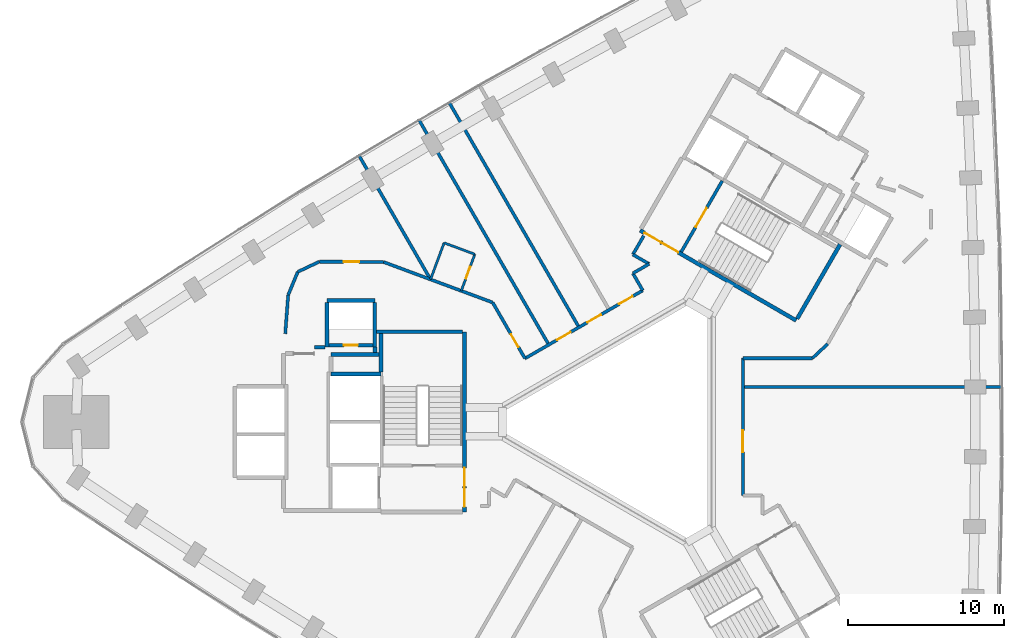
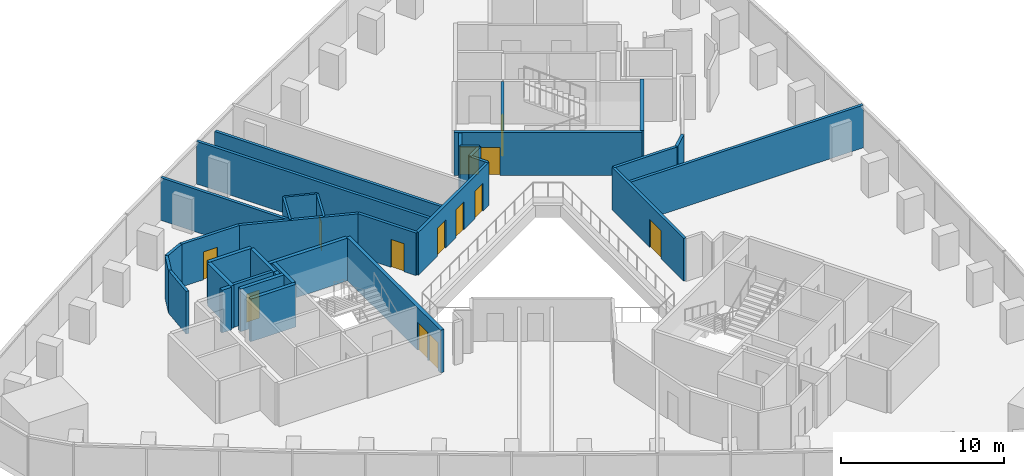
# One storey, part 9 of 12: 35 walls, 13 doors, 13 openings.
"""IFC4 building model written with IfcOpenShell, lengths in metres."""

from ifc_helpers import new_model, si_unit, direction, frame, frame_2d, origin, place, context, subcontext, project, spatial, rectangle, extrude, material, layer, layer_set, type_object, element, fill, save


model = new_model("IFC4")

# Units and contexts
model_context = context("Model", 3, precision=1e-05, world=origin(), true_north=direction((0.0, 1.0)))
body_context = subcontext(model_context, "Body", "Model", "MODEL_VIEW")
ifc_project = project(units=[si_unit("LENGTHUNIT", "METRE"), si_unit("AREAUNIT", "SQUARE_METRE"), si_unit("VOLUMEUNIT", "CUBIC_METRE"), si_unit("PLANEANGLEUNIT", "RADIAN"), si_unit("MASSUNIT", "GRAM", prefix="KILO")], contexts=[model_context])

# Site, building, storey
site_placement = place(None, origin())
site = spatial("IfcSite", under=ifc_project, at=site_placement, CompositionType="ELEMENT")
building_placement = place(site_placement, origin())
building = spatial("IfcBuilding", under=site, at=building_placement, Name="Tamra Quay Hotel Tower", CompositionType="ELEMENT")
storey_placement = place(building_placement, frame((0.0, 0.0, 71.0)))
storey = spatial("IfcBuildingStorey", under=building, at=storey_placement, Name="L16", CompositionType="ELEMENT", Elevation=71.0)

# Wall, opening, door
ifc_material_1 = material(Name="Concrete M70", Category="concrete")
ifc_layer_1 = layer(ifc_material_1, 0.199951171875)
ifc_layer_set_1 = layer_set([ifc_layer_1], Name="Concrete M70 core wall 200")
wall_type_1 = type_object("IfcWallType", Name="Concrete M70 core wall 200", PredefinedType="SHEAR", material=ifc_layer_set_1)
wall_1_placement = place(storey_placement, frame((-19.51123046875, 4.91015625, 0.0), z_axis=(0.0, 0.0, 1.0), x_axis=(1.0, 0.0, 0.0)))
wall_1 = element("IfcWall", 1, at=wall_1_placement, inside=storey, type_object=wall_type_1, Name="CW2", PredefinedType="SHEAR", context=body_context, shape_type="SweptSolid", body=[
    extrude(rectangle(XDim=2.7978515625, YDim=0.199951171875, at=frame_2d((1.39892578125, 0.0))), origin(), (0.0, 0.0, 1.0), 3.199951171875),
])
opening_1_placement = place(wall_1_placement, frame((0.948974609375, 0.0, 0.0)))
opening_1 = element("IfcOpeningElement", 2, at=opening_1_placement, cuts=wall_1, Name="Opening D1", PredefinedType="OPENING", context=body_context, shape_type="SweptSolid", body=[
    extrude(rectangle(XDim=0.89990234375, YDim=2.10009765625, at=frame_2d((0.449951171875, 1.050048828125))), frame((0.0, 0.10986328125, 0.0), z_axis=(0.0, -1.0, 0.0), x_axis=(1.0, 0.0, 0.0)), (0.0, 0.0, 1.0), 0.219970703125),
])
ifc_material_2 = material(Name="Core door D1 900x2100 LH")
door_type_1 = type_object("IfcDoorType", Name="Core door D1 900x2100 LH", OperationType="NOTDEFINED", PredefinedType="DOOR", material=ifc_material_2)
door_1_placement = place(opening_1_placement, origin())
door_1 = element("IfcDoor", 3, at=door_1_placement, inside=storey, type_object=door_type_1, Name="D1", OperationType="SINGLE_SWING_LEFT", OverallHeight=2.10009765625, OverallWidth=0.89990234375, PredefinedType="DOOR", context=body_context, shape_type="SweptSolid", body=[
    extrude(rectangle(XDim=0.89990234375, YDim=2.10009765625, at=frame_2d((0.449951171875, 1.050048828125))), frame((0.0, 0.02490234375, 0.0), z_axis=(0.0, -1.0, 0.0), x_axis=(1.0, 0.0, 0.0)), (0.0, 0.0, 1.0), 0.050048828125),
])
fill(opening_1, door_1)

wall_2_placement = place(storey_placement, frame((3.056640625, 10.89453125, 0.0), z_axis=(0.0, 0.0, 1.0), x_axis=(0.499989418164, 0.866031513124, 0.0)))
wall_2 = element("IfcWall", 4, at=wall_2_placement, inside=storey, type_object=wall_type_1, Name="CW2", PredefinedType="SHEAR", context=body_context, shape_type="SweptSolid", body=[
    extrude(rectangle(XDim=5.2509765625, YDim=0.199951171875, at=frame_2d((2.62548828125, 0.0))), origin(), (0.0, 0.0, 1.0), 3.199951171875),
])
opening_2_placement = place(wall_2_placement, frame((1.84912109375, 0.0, 0.0)))
opening_2 = element("IfcOpeningElement", 5, at=opening_2_placement, cuts=wall_2, Name="Opening FD2", PredefinedType="OPENING", context=body_context, shape_type="SweptSolid", body=[
    extrude(rectangle(XDim=1.39990234375, YDim=2.10009765625, at=frame_2d((0.699951171875, 1.050048828125))), frame((0.0, 0.10986328125, 0.0), z_axis=(0.0, -1.0, 0.0), x_axis=(1.0, 0.0, 0.0)), (0.0, 0.0, 1.0), 0.219970703125),
])
ifc_material_3 = material(Name="Core door FD2 1400x2100 RH")
door_type_2 = type_object("IfcDoorType", Name="Core door FD2 1400x2100 RH", OperationType="NOTDEFINED", PredefinedType="DOOR", material=ifc_material_3)
door_2_placement = place(opening_2_placement, origin())
door_2 = element("IfcDoor", 6, at=door_2_placement, inside=storey, type_object=door_type_2, Name="FD2", OperationType="SINGLE_SWING_RIGHT", OverallHeight=2.10009765625, OverallWidth=1.39990234375, PredefinedType="DOOR", context=body_context, shape_type="SweptSolid", body=[
    extrude(rectangle(XDim=1.39990234375, YDim=2.10009765625, at=frame_2d((0.699951171875, 1.050048828125))), frame((0.0, 0.02490234375, 0.0), z_axis=(0.0, -1.0, 0.0), x_axis=(1.0, 0.0, 0.0)), (0.0, 0.0, 1.0), 0.050048828125),
])
fill(opening_2, door_2)

# Wall, openings, doors
ifc_layer_2 = layer(ifc_material_1, 0.25)
ifc_layer_set_2 = layer_set([ifc_layer_2], Name="Concrete M70 core wall 250")
wall_type_2 = type_object("IfcWallType", Name="Concrete M70 core wall 250", PredefinedType="SHEAR", material=ifc_layer_set_2)
wall_3_placement = place(storey_placement, frame((-10.83740234375, 5.77490234375, 0.0), z_axis=(0.0, 0.0, 1.0), x_axis=(0.0, -1.0, 0.0)))
wall_3 = element("IfcWall", 7, at=wall_3_placement, inside=storey, type_object=wall_type_2, Name="CW1", PredefinedType="SHEAR", context=body_context, shape_type="SweptSolid", body=[
    extrude(rectangle(XDim=11.5498046875, YDim=0.25, at=frame_2d((5.77490234375, 0.0))), origin(), (0.0, 0.0, 1.0), 3.199951171875),
])
opening_3_placement = place(wall_3_placement, frame((10.02490234375, 0.0, 0.0)))
opening_3 = element("IfcOpeningElement", 8, at=opening_3_placement, cuts=wall_3, Name="Opening FD1", PredefinedType="OPENING", context=body_context, shape_type="SweptSolid", body=[
    extrude(rectangle(XDim=1.199951171875, YDim=2.10009765625, at=frame_2d((0.60009765625, 1.050048828125))), frame((0.0, 0.135009765625, 0.0), z_axis=(0.0, -1.0, 0.0), x_axis=(1.0, 0.0, 0.0)), (0.0, 0.0, 1.0), 0.27001953125),
])
opening_4_placement = place(wall_3_placement, frame((8.72509765625, 0.0, 0.0)))
opening_4 = element("IfcOpeningElement", 9, at=opening_4_placement, cuts=wall_3, Name="Opening FD1", PredefinedType="OPENING", context=body_context, shape_type="SweptSolid", body=[
    extrude(rectangle(XDim=1.199951171875, YDim=2.10009765625, at=frame_2d((0.60009765625, 1.050048828125))), frame((0.0, 0.135009765625, 0.0), z_axis=(0.0, -1.0, 0.0), x_axis=(1.0, 0.0, 0.0)), (0.0, 0.0, 1.0), 0.27001953125),
])
ifc_material_4 = material(Name="Core door FD1 1200x2100 LH")
door_type_3 = type_object("IfcDoorType", Name="Core door FD1 1200x2100 LH", OperationType="NOTDEFINED", PredefinedType="DOOR", material=ifc_material_4)
door_3_placement = place(opening_3_placement, origin())
door_3 = element("IfcDoor", 10, at=door_3_placement, inside=storey, type_object=door_type_3, Name="FD1", OperationType="SINGLE_SWING_LEFT", OverallHeight=2.10009765625, OverallWidth=1.199951171875, PredefinedType="DOOR", context=body_context, shape_type="SweptSolid", body=[
    extrude(rectangle(XDim=1.199951171875, YDim=2.10009765625, at=frame_2d((0.60009765625, 1.050048828125))), frame((0.0, 0.02490234375, 0.0), z_axis=(0.0, -1.0, 0.0), x_axis=(1.0, 0.0, 0.0)), (0.0, 0.0, 1.0), 0.050048828125),
])
fill(opening_3, door_3)
ifc_material_5 = material(Name="Core door FD1 1200x2100 RH")
door_type_4 = type_object("IfcDoorType", Name="Core door FD1 1200x2100 RH", OperationType="NOTDEFINED", PredefinedType="DOOR", material=ifc_material_5)
door_4_placement = place(opening_4_placement, origin())
door_4 = element("IfcDoor", 11, at=door_4_placement, inside=storey, type_object=door_type_4, Name="FD1", OperationType="SINGLE_SWING_RIGHT", OverallHeight=2.10009765625, OverallWidth=1.199951171875, PredefinedType="DOOR", context=body_context, shape_type="SweptSolid", body=[
    extrude(rectangle(XDim=1.199951171875, YDim=2.10009765625, at=frame_2d((0.60009765625, 1.050048828125))), frame((0.0, 0.02490234375, 0.0), z_axis=(0.0, -1.0, 0.0), x_axis=(1.0, 0.0, 0.0)), (0.0, 0.0, 1.0), 0.050048828125),
])
fill(opening_4, door_4)

# Walls
wall_4_placement = place(storey_placement, frame((-16.47216796875, 5.77490234375, 0.0), z_axis=(0.0, 0.0, 1.0), x_axis=(1.0, 0.0, 0.0)))
element("IfcWall", 12, at=wall_4_placement, inside=storey, type_object=wall_type_2, Name="CW1", PredefinedType="SHEAR", context=body_context, shape_type="SweptSolid", body=[
    extrude(rectangle(XDim=5.509521484375, YDim=0.25, at=frame_2d((2.7548828125, 0.0))), origin(), (0.0, 0.0, 1.0), 3.199951171875),
])
wall_5_placement = place(storey_placement, frame((-19.38720703125, 3.074951171875, 0.0), z_axis=(0.0, 0.0, 1.0), x_axis=(1.0, 0.0, 0.0)))
element("IfcWall", 13, at=wall_5_placement, inside=storey, type_object=wall_type_2, Name="CW1", PredefinedType="SHEAR", context=body_context, shape_type="SweptSolid", body=[
    extrude(rectangle(XDim=3.199951171875, YDim=0.25, at=frame_2d((1.60009765625, 0.0))), origin(), (0.0, 0.0, 1.0), 3.199951171875),
])
wall_6_placement = place(storey_placement, frame((-19.63720703125, 7.77490234375, 0.0), z_axis=(0.0, 0.0, 1.0), x_axis=(1.0, 0.0, 0.0)))
element("IfcWall", 14, at=wall_6_placement, inside=storey, type_object=wall_type_2, Name="CW1", PredefinedType="SHEAR", context=body_context, shape_type="SweptSolid", body=[
    extrude(rectangle(XDim=3.0498046875, YDim=0.25, at=frame_2d((1.52490234375, 0.0))), origin(), (0.0, 0.0, 1.0), 3.199951171875),
])
for number, where, z_axis, x_axis, name in (
    (15, (-16.58740234375, 7.649658203125, 0.0), (0.0, 0.0, 1.0), (0.0, -1.0, 0.0), "CW1"),
    (16, (-19.63720703125, 4.784912109375, 0.0), (0.0, 0.0, 1.0), (0.0, 1.0, 0.0), "CW1"),
):
    element("IfcWall", number, at=place(storey_placement, frame(where, z_axis=z_axis, x_axis=x_axis)), inside=storey, type_object=wall_type_2, Name=name, PredefinedType="SHEAR", context=body_context, shape_type="SweptSolid", body=[
        extrude(rectangle(XDim=2.86474609375, YDim=0.25, at=frame_2d((1.432373046875, 0.0))), origin(), (0.0, 0.0, 1.0), 3.199951171875),
    ])
wall_7_placement = place(storey_placement, frame((-16.30224609375, 4.31494140625, 0.0), z_axis=(0.0, 0.0, 1.0), x_axis=(-1.0, 0.0, 0.0)))
element("IfcWall", 17, at=wall_7_placement, inside=storey, type_object=wall_type_2, Name="CW1", PredefinedType="SHEAR", context=body_context, shape_type="SweptSolid", body=[
    extrude(rectangle(XDim=3.0849609375, YDim=0.25, at=frame_2d((1.54248046875, 0.0))), origin(), (0.0, 0.0, 1.0), 3.199951171875),
])
wall_8_placement = place(storey_placement, frame((-16.187255859375, 3.200439453125, 0.0), z_axis=(0.0, 0.0, 1.0), x_axis=(0.0, 1.0, 0.0)))
element("IfcWall", 18, at=wall_8_placement, inside=storey, type_object=wall_type_2, Name="CW1", PredefinedType="SHEAR", context=body_context, shape_type="SweptSolid", body=[
    extrude(rectangle(XDim=2.44921875, YDim=0.25, at=frame_2d((1.224609375, 0.0))), origin(), (0.0, 0.0, 1.0), 3.199951171875),
])
wall_9_placement = place(storey_placement, frame((-20.447265625, 4.784912109375, 0.0), z_axis=(0.0, 0.0, 1.0), x_axis=(1.0, 0.0, 0.0)))
element("IfcWall", 19, at=wall_9_placement, inside=storey, type_object=wall_type_2, Name="CW1", PredefinedType="SHEAR", context=body_context, shape_type="SweptSolid", body=[
    extrude(rectangle(XDim=0.6845703125, YDim=0.25, at=frame_2d((0.34228515625, 0.0))), origin(), (0.0, 0.0, 1.0), 3.199951171875),
])
wall_10_placement = place(storey_placement, frame((-16.577392578125, 4.784912109375, 0.0), z_axis=(0.0, 0.0, 1.0), x_axis=(0.0, -1.0, 0.0)))
element("IfcWall", 20, at=wall_10_placement, inside=storey, type_object=wall_type_2, Name="CW1", PredefinedType="SHEAR", context=body_context, shape_type="SweptSolid", body=[
    extrude(rectangle(XDim=0.344482421875, YDim=0.25, at=frame_2d((0.17236328125, 0.0))), origin(), (0.0, 0.0, 1.0), 3.199951171875),
])

# Wall, openings, doors
wall_11_placement = place(storey_placement, frame((10.419921875, 6.497802734375, 0.0), z_axis=(0.0, 0.0, 1.0), x_axis=(-0.866021906294, 0.500006057782, 0.0)))
wall_11 = element("IfcWall", 21, at=wall_11_placement, inside=storey, type_object=wall_type_2, Name="CW1", PredefinedType="SHEAR", context=body_context, shape_type="SweptSolid", body=[
    extrude(rectangle(XDim=11.550048828125, YDim=0.25, at=frame_2d((5.77490234375, 0.0))), origin(), (0.0, 0.0, 1.0), 3.199951171875),
])
opening_5_placement = place(wall_11_placement, frame((10.02490234375, 0.0, 0.0)))
opening_5 = element("IfcOpeningElement", 22, at=opening_5_placement, cuts=wall_11, Name="Opening FD1", PredefinedType="OPENING", context=body_context, shape_type="SweptSolid", body=[
    extrude(rectangle(XDim=1.199951171875, YDim=2.10009765625, at=frame_2d((0.60009765625, 1.050048828125))), frame((0.0, 0.135009765625, 0.0), z_axis=(0.0, -1.0, 0.0), x_axis=(1.0, 0.0, 0.0)), (0.0, 0.0, 1.0), 0.27001953125),
])
opening_6_placement = place(wall_11_placement, frame((8.724853515625, 0.0, 0.0)))
opening_6 = element("IfcOpeningElement", 23, at=opening_6_placement, cuts=wall_11, Name="Opening FD1", PredefinedType="OPENING", context=body_context, shape_type="SweptSolid", body=[
    extrude(rectangle(XDim=1.199951171875, YDim=2.10009765625, at=frame_2d((0.60009765625, 1.050048828125))), frame((0.0, 0.135009765625, 0.0), z_axis=(0.0, -1.0, 0.0), x_axis=(1.0, 0.0, 0.0)), (0.0, 0.0, 1.0), 0.27001953125),
])
door_5_placement = place(opening_5_placement, origin())
door_5 = element("IfcDoor", 24, at=door_5_placement, inside=storey, type_object=door_type_3, Name="FD1", OperationType="SINGLE_SWING_LEFT", OverallHeight=2.10009765625, OverallWidth=1.199951171875, PredefinedType="DOOR", context=body_context, shape_type="SweptSolid", body=[
    extrude(rectangle(XDim=1.199951171875, YDim=2.10009765625, at=frame_2d((0.60009765625, 1.050048828125))), frame((0.0, 0.02490234375, 0.0), z_axis=(0.0, -1.0, 0.0), x_axis=(1.0, 0.0, 0.0)), (0.0, 0.0, 1.0), 0.050048828125),
])
fill(opening_5, door_5)
door_6_placement = place(opening_6_placement, origin())
door_6 = element("IfcDoor", 25, at=door_6_placement, inside=storey, type_object=door_type_4, Name="FD1", OperationType="SINGLE_SWING_RIGHT", OverallHeight=2.10009765625, OverallWidth=1.199951171875, PredefinedType="DOOR", context=body_context, shape_type="SweptSolid", body=[
    extrude(rectangle(XDim=1.199951171875, YDim=2.10009765625, at=frame_2d((0.60009765625, 1.050048828125))), frame((0.0, 0.02490234375, 0.0), z_axis=(0.0, -1.0, 0.0), x_axis=(1.0, 0.0, 0.0)), (0.0, 0.0, 1.0), 0.050048828125),
])
fill(opening_6, door_6)

# Walls
wall_12_placement = place(storey_placement, frame((13.237548828125, 11.3779296875, 0.0), z_axis=(0.0, 0.0, 1.0), x_axis=(-0.500008851346, -0.866020293397, 0.0)))
element("IfcWall", 26, at=wall_12_placement, inside=storey, type_object=wall_type_2, Name="CW1", PredefinedType="SHEAR", context=body_context, shape_type="SweptSolid", body=[
    extrude(rectangle(XDim=5.509765625, YDim=0.25, at=frame_2d((2.7548828125, 0.0))), origin(), (0.0, 0.0, 1.0), 3.199951171875),
])
ifc_material_6 = material(Name="Partition corridor wall")
ifc_layer_3 = layer(ifc_material_6, 0.199951171875)
ifc_layer_set_3 = layer_set([ifc_layer_3], Name="Partition corridor wall")
wall_type_3 = type_object("IfcWallType", Name="Partition corridor wall", PredefinedType="PARTITIONING", material=ifc_layer_set_3)
wall_13_placement = place(storey_placement, frame((-22.135009765625, 8.1298828125, 0.0), z_axis=(0.0, 0.0, 1.0), x_axis=(-0.076073461031, -0.997102215686, 0.0)))
element("IfcWall", 27, at=wall_13_placement, inside=storey, type_object=wall_type_3, Name="W-C", PredefinedType="PARTITIONING", context=body_context, shape_type="SweptSolid", body=[
    extrude(rectangle(XDim=2.4873046875, YDim=0.199951171875, at=frame_2d((1.24365234375, 0.0))), origin(), (0.0, 0.0, 1.0), 3.199951171875),
])
wall_14_placement = place(storey_placement, frame((-22.135009765625, 8.134033203125, 0.0), z_axis=(0.0, 0.0, 1.0), x_axis=(0.383208453534, 0.923661886807, 0.0)))
element("IfcWall", 28, at=wall_14_placement, inside=storey, type_object=wall_type_3, Name="W-C", PredefinedType="PARTITIONING", context=body_context, shape_type="SweptSolid", body=[
    extrude(rectangle(XDim=1.602294921875, YDim=0.199951171875, at=frame_2d((0.80126953125, 0.0))), origin(), (0.0, 0.0, 1.0), 3.199951171875),
])
wall_15_placement = place(storey_placement, frame((-21.52099609375, 9.614013671875, 0.0), z_axis=(0.0, 0.0, 1.0), x_axis=(0.904083527367, 0.427355795028, 0.0)))
element("IfcWall", 29, at=wall_15_placement, inside=storey, type_object=wall_type_3, Name="W-C", PredefinedType="PARTITIONING", context=body_context, shape_type="SweptSolid", body=[
    extrude(rectangle(XDim=1.52294921875, YDim=0.199951171875, at=frame_2d((0.761474609375, 0.0))), origin(), (0.0, 0.0, 1.0), 3.199951171875),
])

# Wall, opening, door
wall_16_placement = place(storey_placement, frame((-20.14306640625, 10.26611328125, 0.0), z_axis=(0.0, 0.0, 1.0), x_axis=(0.999989297417, -0.004626559416, 0.0)))
wall_16 = element("IfcWall", 30, at=wall_16_placement, inside=storey, type_object=wall_type_3, Name="W-C", PredefinedType="PARTITIONING", context=body_context, shape_type="SweptSolid", body=[
    extrude(rectangle(XDim=4.115966796875, YDim=0.199951171875, at=frame_2d((2.05810546875, 0.0))), origin(), (0.0, 0.0, 1.0), 3.199951171875),
])
opening_7_placement = place(wall_16_placement, frame((1.55810546875, 0.0, 0.0)))
opening_7 = element("IfcOpeningElement", 31, at=opening_7_placement, cuts=wall_16, Name="Opening L16-D008", PredefinedType="OPENING", context=body_context, shape_type="SweptSolid", body=[
    extrude(rectangle(XDim=1.0, YDim=2.10009765625, at=frame_2d((0.5, 1.050048828125))), frame((0.0, 0.10986328125, 0.0), z_axis=(0.0, -1.0, 0.0), x_axis=(1.0, 0.0, 0.0)), (0.0, 0.0, 1.0), 0.219970703125),
])
ifc_material_7 = material(Name="Door guest room 1000x2100")
door_type_5 = type_object("IfcDoorType", Name="Door guest room 1000x2100", OperationType="NOTDEFINED", PredefinedType="DOOR", material=ifc_material_7)
door_7_placement = place(opening_7_placement, origin())
door_7 = element("IfcDoor", 32, at=door_7_placement, inside=storey, type_object=door_type_5, Name="L16-D008", OperationType="SINGLE_SWING_LEFT", OverallHeight=2.10009765625, OverallWidth=1.0, PredefinedType="DOOR", context=body_context, shape_type="SweptSolid", body=[
    extrude(rectangle(XDim=1.0, YDim=2.10009765625, at=frame_2d((0.5, 1.050048828125))), frame((0.0, 0.02490234375, 0.0), z_axis=(0.0, -1.0, 0.0), x_axis=(1.0, 0.0, 0.0)), (0.0, 0.0, 1.0), 0.050048828125),
])
fill(opening_7, door_7)

# Wall
wall_17_placement = place(storey_placement, frame((-16.026123046875, 10.245849609375, 0.0), z_axis=(0.0, 0.0, 1.0), x_axis=(0.937587564203, -0.34774927671, 0.0)))
element("IfcWall", 33, at=wall_17_placement, inside=storey, type_object=wall_type_3, Name="W-C", PredefinedType="PARTITIONING", context=body_context, shape_type="SweptSolid", body=[
    extrude(rectangle(XDim=7.458740234375, YDim=0.199951171875, at=frame_2d((3.7294921875, 0.0))), origin(), (0.0, 0.0, 1.0), 3.199951171875),
])

# Wall, opening, door
wall_18_placement = place(storey_placement, frame((-9.032958984375, 7.652099609375, 0.0), z_axis=(0.0, 0.0, 1.0), x_axis=(0.500074377092, -0.865982457891, 0.0)))
wall_18 = element("IfcWall", 34, at=wall_18_placement, inside=storey, type_object=wall_type_3, Name="W-C", PredefinedType="PARTITIONING", context=body_context, shape_type="SweptSolid", body=[
    extrude(rectangle(XDim=4.143310546875, YDim=0.199951171875, at=frame_2d((2.07177734375, 0.0))), origin(), (0.0, 0.0, 1.0), 3.199951171875),
])
opening_8_placement = place(wall_18_placement, frame((2.35009765625, 0.0, 0.0)))
opening_8 = element("IfcOpeningElement", 35, at=opening_8_placement, cuts=wall_18, Name="Opening L16-D006", PredefinedType="OPENING", context=body_context, shape_type="SweptSolid", body=[
    extrude(rectangle(XDim=0.949951171875, YDim=2.10009765625, at=frame_2d((0.47509765625, 1.050048828125))), frame((0.0, 0.10986328125, 0.0), z_axis=(0.0, -1.0, 0.0), x_axis=(1.0, 0.0, 0.0)), (0.0, 0.0, 1.0), 0.219970703125),
])
ifc_material_8 = material(Name="Door guest room 950x2100")
door_type_6 = type_object("IfcDoorType", Name="Door guest room 950x2100", OperationType="NOTDEFINED", PredefinedType="DOOR", material=ifc_material_8)
door_8_placement = place(opening_8_placement, frame((0.949951171875, 0.0, 0.0), z_axis=(0.0, 0.0, 1.0), x_axis=(-1.0, 0.0, 0.0)))
door_8 = element("IfcDoor", 36, at=door_8_placement, inside=storey, type_object=door_type_6, Name="L16-D006", OperationType="SINGLE_SWING_LEFT", OverallHeight=2.10009765625, OverallWidth=0.949951171875, PredefinedType="DOOR", context=body_context, shape_type="SweptSolid", body=[
    extrude(rectangle(XDim=0.949951171875, YDim=2.10009765625, at=frame_2d((0.47509765625, 1.050048828125))), frame((0.0, 0.02490234375, 0.0), z_axis=(0.0, -1.0, 0.0), x_axis=(1.0, 0.0, 0.0)), (0.0, 0.0, 1.0), 0.050048828125),
])
fill(opening_8, door_8)

# Wall, openings, doors
wall_19_placement = place(storey_placement, frame((-6.960693359375, 4.0634765625, 0.0), z_axis=(0.0, 0.0, 1.0), x_axis=(0.865988777627, 0.500063433, 0.0)))
wall_19 = element("IfcWall", 37, at=wall_19_placement, inside=storey, type_object=wall_type_3, Name="W-C", PredefinedType="PARTITIONING", context=body_context, shape_type="SweptSolid", body=[
    extrude(rectangle(XDim=8.718017578125, YDim=0.199951171875, at=frame_2d((4.35888671875, 0.0))), origin(), (0.0, 0.0, 1.0), 3.199951171875),
])
opening_9_placement = place(wall_19_placement, frame((6.968994140625, 0.0, 0.0)))
opening_9 = element("IfcOpeningElement", 38, at=opening_9_placement, cuts=wall_19, Name="Opening L16-D003", PredefinedType="OPENING", context=body_context, shape_type="SweptSolid", body=[
    extrude(rectangle(XDim=1.0, YDim=2.10009765625, at=frame_2d((0.5, 1.050048828125))), frame((0.0, 0.10986328125, 0.0), z_axis=(0.0, -1.0, 0.0), x_axis=(1.0, 0.0, 0.0)), (0.0, 0.0, 1.0), 0.219970703125),
])
opening_10_placement = place(wall_19_placement, frame((4.614013671875, 0.0, 0.0)))
opening_10 = element("IfcOpeningElement", 39, at=opening_10_placement, cuts=wall_19, Name="Opening L16-D004", PredefinedType="OPENING", context=body_context, shape_type="SweptSolid", body=[
    extrude(rectangle(XDim=1.0, YDim=2.10009765625, at=frame_2d((0.5, 1.050048828125))), frame((0.0, 0.10986328125, 0.0), z_axis=(0.0, -1.0, 0.0), x_axis=(1.0, 0.0, 0.0)), (0.0, 0.0, 1.0), 0.219970703125),
])
opening_11_placement = place(wall_19_placement, frame((2.37890625, 0.0, 0.0)))
opening_11 = element("IfcOpeningElement", 40, at=opening_11_placement, cuts=wall_19, Name="Opening L16-D005", PredefinedType="OPENING", context=body_context, shape_type="SweptSolid", body=[
    extrude(rectangle(XDim=1.0, YDim=2.10009765625, at=frame_2d((0.5, 1.050048828125))), frame((0.0, 0.10986328125, 0.0), z_axis=(0.0, -1.0, 0.0), x_axis=(1.0, 0.0, 0.0)), (0.0, 0.0, 1.0), 0.219970703125),
])
door_9_placement = place(opening_9_placement, origin())
door_9 = element("IfcDoor", 41, at=door_9_placement, inside=storey, type_object=door_type_5, Name="L16-D003", OperationType="SINGLE_SWING_LEFT", OverallHeight=2.10009765625, OverallWidth=1.0, PredefinedType="DOOR", context=body_context, shape_type="SweptSolid", body=[
    extrude(rectangle(XDim=1.0, YDim=2.10009765625, at=frame_2d((0.5, 1.050048828125))), frame((0.0, 0.02490234375, 0.0), z_axis=(0.0, -1.0, 0.0), x_axis=(1.0, 0.0, 0.0)), (0.0, 0.0, 1.0), 0.050048828125),
])
fill(opening_9, door_9)
door_10_placement = place(opening_10_placement, origin())
door_10 = element("IfcDoor", 42, at=door_10_placement, inside=storey, type_object=door_type_5, Name="L16-D004", OperationType="SINGLE_SWING_LEFT", OverallHeight=2.10009765625, OverallWidth=1.0, PredefinedType="DOOR", context=body_context, shape_type="SweptSolid", body=[
    extrude(rectangle(XDim=1.0, YDim=2.10009765625, at=frame_2d((0.5, 1.050048828125))), frame((0.0, 0.02490234375, 0.0), z_axis=(0.0, -1.0, 0.0), x_axis=(1.0, 0.0, 0.0)), (0.0, 0.0, 1.0), 0.050048828125),
])
fill(opening_10, door_10)
door_11_placement = place(opening_11_placement, origin())
door_11 = element("IfcDoor", 43, at=door_11_placement, inside=storey, type_object=door_type_5, Name="L16-D005", OperationType="SINGLE_SWING_LEFT", OverallHeight=2.10009765625, OverallWidth=1.0, PredefinedType="DOOR", context=body_context, shape_type="SweptSolid", body=[
    extrude(rectangle(XDim=1.0, YDim=2.10009765625, at=frame_2d((0.5, 1.050048828125))), frame((0.0, 0.02490234375, 0.0), z_axis=(0.0, -1.0, 0.0), x_axis=(1.0, 0.0, 0.0)), (0.0, 0.0, 1.0), 0.050048828125),
])
fill(opening_11, door_11)

# Walls
wall_20_placement = place(storey_placement, frame((-0.044921875, 9.52197265625, 0.0), z_axis=(0.0, 0.0, 1.0), x_axis=(0.86625675314, 0.499599076899, 0.0)))
element("IfcWall", 44, at=wall_20_placement, inside=storey, type_object=wall_type_3, Name="W-C", PredefinedType="PARTITIONING", context=body_context, shape_type="SweptSolid", body=[
    extrude(rectangle(XDim=1.19921875, YDim=0.199951171875, at=frame_2d((0.599609375, 0.0))), origin(), (0.0, 0.0, 1.0), 3.199951171875),
])
wall_21_placement = place(storey_placement, frame((-0.044921875, 10.721923828125, 0.0), z_axis=(0.0, 0.0, 1.0), x_axis=(0.500107785535, 0.865963164833, 0.0)))
element("IfcWall", 45, at=wall_21_placement, inside=storey, type_object=wall_type_3, Name="W-C", PredefinedType="PARTITIONING", context=body_context, shape_type="SweptSolid", body=[
    extrude(rectangle(XDim=1.389404296875, YDim=0.199951171875, at=frame_2d((0.69482421875, 0.0))), origin(), (0.0, 0.0, 1.0), 3.199951171875),
])
wall_22_placement = place(storey_placement, frame((-0.044921875, 9.52099609375, 0.0), z_axis=(0.0, 0.0, 1.0), x_axis=(0.500094716449, -0.865970712311, 0.0)))
element("IfcWall", 46, at=wall_22_placement, inside=storey, type_object=wall_type_3, Name="W-C", PredefinedType="PARTITIONING", context=body_context, shape_type="SweptSolid", body=[
    extrude(rectangle(XDim=1.267822265625, YDim=0.199951171875, at=frame_2d((0.6337890625, 0.0))), origin(), (0.0, 0.0, 1.0), 3.199951171875),
])
wall_23_placement = place(storey_placement, frame((-0.044921875, 10.720947265625, 0.0), z_axis=(0.0, 0.0, 1.0), x_axis=(0.865992388649, -0.500057179532, 0.0)))
element("IfcWall", 47, at=wall_23_placement, inside=storey, type_object=wall_type_3, Name="W-C", PredefinedType="PARTITIONING", context=body_context, shape_type="SweptSolid", body=[
    extrude(rectangle(XDim=1.199462890625, YDim=0.199951171875, at=frame_2d((0.599609375, 0.0))), origin(), (0.0, 0.0, 1.0), 3.199951171875),
])

# Wall, opening, door
wall_24_placement = place(storey_placement, frame((7.0, -4.720947265625, 0.0), z_axis=(0.0, 0.0, 1.0), x_axis=(0.0, 1.0, 0.0)))
wall_24 = element("IfcWall", 48, at=wall_24_placement, inside=storey, type_object=wall_type_3, Name="W-C", PredefinedType="PARTITIONING", context=body_context, shape_type="SweptSolid", body=[
    extrude(rectangle(XDim=8.798828125, YDim=0.199951171875, at=frame_2d((4.3994140625, 0.0))), origin(), (0.0, 0.0, 1.0), 3.199951171875),
])
opening_12_placement = place(wall_24_placement, frame((2.783935546875, 0.0, 0.0)))
opening_12 = element("IfcOpeningElement", 49, at=opening_12_placement, cuts=wall_24, Name="Opening L16-D001", PredefinedType="OPENING", context=body_context, shape_type="SweptSolid", body=[
    extrude(rectangle(XDim=1.39990234375, YDim=2.10009765625, at=frame_2d((0.699951171875, 1.050048828125))), frame((0.0, 0.10986328125, 0.0), z_axis=(0.0, -1.0, 0.0), x_axis=(1.0, 0.0, 0.0)), (0.0, 0.0, 1.0), 0.219970703125),
])
ifc_material_9 = material(Name="Door double leaf 1400x2100")
door_type_7 = type_object("IfcDoorType", Name="Door double leaf 1400x2100", OperationType="DOUBLE_DOOR_SINGLE_SWING", PredefinedType="DOOR", material=ifc_material_9)
door_12_placement = place(opening_12_placement, frame((1.39990234375, 0.0, 0.0), z_axis=(0.0, 0.0, 1.0), x_axis=(-1.0, 0.0, 0.0)))
door_12 = element("IfcDoor", 50, at=door_12_placement, inside=storey, type_object=door_type_7, Name="L16-D001", OperationType="DOUBLE_DOOR_SINGLE_SWING", OverallHeight=2.10009765625, OverallWidth=1.39990234375, PredefinedType="DOOR", context=body_context, shape_type="SweptSolid", body=[
    extrude(rectangle(XDim=1.39990234375, YDim=2.10009765625, at=frame_2d((0.699951171875, 1.050048828125))), frame((0.0, 0.02490234375, 0.0), z_axis=(0.0, -1.0, 0.0), x_axis=(1.0, 0.0, 0.0)), (0.0, 0.0, 1.0), 0.050048828125),
])
fill(opening_12, door_12)

# Walls
wall_25_placement = place(storey_placement, frame((7.0, 4.077880859375, 0.0), z_axis=(0.0, 0.0, 1.0), x_axis=(1.0, 0.0, 0.0)))
element("IfcWall", 51, at=wall_25_placement, inside=storey, type_object=wall_type_3, Name="W-C", PredefinedType="PARTITIONING", context=body_context, shape_type="SweptSolid", body=[
    extrude(rectangle(XDim=4.4580078125, YDim=0.199951171875, at=frame_2d((2.22900390625, 0.0))), origin(), (0.0, 0.0, 1.0), 3.199951171875),
])
wall_26_placement = place(storey_placement, frame((11.4580078125, 4.077880859375, 0.0), z_axis=(0.0, 0.0, 1.0), x_axis=(0.729936032318, 0.683515463412, 0.0)))
element("IfcWall", 52, at=wall_26_placement, inside=storey, type_object=wall_type_3, Name="W-C", PredefinedType="PARTITIONING", context=body_context, shape_type="SweptSolid", body=[
    extrude(rectangle(XDim=1.3359375, YDim=0.199951171875, at=frame_2d((0.66796875, 0.0))), origin(), (0.0, 0.0, 1.0), 3.199951171875),
])
ifc_material_10 = material(Name="Partition en-suite wall")
ifc_layer_4 = layer(ifc_material_10, 0.14990234375)
ifc_layer_set_4 = layer_set([ifc_layer_4], Name="Partition en-suite wall")
wall_type_4 = type_object("IfcWallType", Name="Partition en-suite wall", PredefinedType="PARTITIONING", material=ifc_layer_set_4)
wall_27_placement = place(storey_placement, frame((-13.012939453125, 9.12890625, 0.0), z_axis=(0.0, 0.0, 1.0), x_axis=(0.347921729873, 0.937523583641, 0.0)))
element("IfcWall", 53, at=wall_27_placement, inside=storey, type_object=wall_type_4, Name="W-E", PredefinedType="PARTITIONING", context=body_context, shape_type="SweptSolid", body=[
    extrude(rectangle(XDim=2.500244140625, YDim=0.14990234375, at=frame_2d((1.25, 0.0))), origin(), (0.0, 0.0, 1.0), 3.199951171875),
])
wall_28_placement = place(storey_placement, frame((-12.14306640625, 11.472900390625, 0.0), z_axis=(0.0, 0.0, 1.0), x_axis=(0.937484879804, -0.348026004976, 0.0)))
element("IfcWall", 54, at=wall_28_placement, inside=storey, type_object=wall_type_4, Name="W-E", PredefinedType="PARTITIONING", context=body_context, shape_type="SweptSolid", body=[
    extrude(rectangle(XDim=2.100341796875, YDim=0.14990234375, at=frame_2d((1.05029296875, 0.0))), origin(), (0.0, 0.0, 1.0), 3.199951171875),
])

# Wall, opening, door
wall_29_placement = place(storey_placement, frame((-11.0439453125, 8.39794921875, 0.0), z_axis=(0.0, 0.0, 1.0), x_axis=(0.347921729873, 0.937523583641, 0.0)))
wall_29 = element("IfcWall", 55, at=wall_29_placement, inside=storey, type_object=wall_type_4, Name="W-E", PredefinedType="PARTITIONING", context=body_context, shape_type="SweptSolid", body=[
    extrude(rectangle(XDim=2.500244140625, YDim=0.14990234375, at=frame_2d((1.25, 0.0))), origin(), (0.0, 0.0, 1.0), 3.199951171875),
])
opening_13_placement = place(wall_29_placement, frame((0.850341796875, 0.0, 0.0)))
opening_13 = element("IfcOpeningElement", 56, at=opening_13_placement, cuts=wall_29, Name="Opening L16-D007", PredefinedType="OPENING", context=body_context, shape_type="SweptSolid", body=[
    extrude(rectangle(XDim=0.800048828125, YDim=2.10009765625, at=frame_2d((0.39990234375, 1.050048828125))), frame((0.0, 0.0849609375, 0.0), z_axis=(0.0, -1.0, 0.0), x_axis=(1.0, 0.0, 0.0)), (0.0, 0.0, 1.0), 0.169921875),
])
ifc_material_11 = material(Name="Door en-suite 800x2100")
door_type_8 = type_object("IfcDoorType", Name="Door en-suite 800x2100", OperationType="NOTDEFINED", PredefinedType="DOOR", material=ifc_material_11)
door_13_placement = place(opening_13_placement, origin())
door_13 = element("IfcDoor", 57, at=door_13_placement, inside=storey, type_object=door_type_8, Name="L16-D007", OperationType="SINGLE_SWING_LEFT", OverallHeight=2.10009765625, OverallWidth=0.800048828125, PredefinedType="DOOR", context=body_context, shape_type="SweptSolid", body=[
    extrude(rectangle(XDim=0.800048828125, YDim=2.10009765625, at=frame_2d((0.39990234375, 1.050048828125))), frame((0.0, 0.02490234375, 0.0), z_axis=(0.0, -1.0, 0.0), x_axis=(1.0, 0.0, 0.0)), (0.0, 0.0, 1.0), 0.050048828125),
])
fill(opening_13, door_13)

# Walls
ifc_material_12 = material(Name="Partition party wall")
ifc_layer_5 = layer(ifc_material_12, 0.199951171875)
ifc_layer_set_5 = layer_set([ifc_layer_5], Name="Partition party wall")
wall_type_5 = type_object("IfcWallType", Name="Partition party wall", PredefinedType="PARTITIONING", material=ifc_layer_set_5)
wall_30_placement = place(storey_placement, frame((-17.589599609375, 17.05517578125, 0.0), z_axis=(0.0, 0.0, 1.0), x_axis=(0.500034932695, -0.866005234444, 0.0)))
element("IfcWall", 58, at=wall_30_placement, inside=storey, type_object=wall_type_5, Name="W-P", PredefinedType="PARTITIONING", context=body_context, shape_type="SweptSolid", body=[
    extrude(rectangle(XDim=9.152587890625, YDim=0.199951171875, at=frame_2d((4.576171875, 0.0))), origin(), (0.0, 0.0, 1.0), 3.199951171875),
])
wall_31_placement = place(storey_placement, frame((-13.74267578125, 19.33203125, 0.0), z_axis=(0.0, 0.0, 1.0), x_axis=(0.500014614896, -0.866016965706, 0.0)))
element("IfcWall", 59, at=wall_31_placement, inside=storey, type_object=wall_type_5, Name="W-P", PredefinedType="PARTITIONING", context=body_context, shape_type="SweptSolid", body=[
    extrude(rectangle(XDim=16.61279296875, YDim=0.199951171875, at=frame_2d((8.306396484375, 0.0))), origin(), (0.0, 0.0, 1.0), 3.199951171875),
])
wall_32_placement = place(storey_placement, frame((-11.806396484375, 20.449951171875, 0.0), z_axis=(0.0, 0.0, 1.0), x_axis=(0.499978139694, -0.86603802447, 0.0)))
element("IfcWall", 60, at=wall_32_placement, inside=storey, type_object=wall_type_5, Name="W-P", PredefinedType="PARTITIONING", context=body_context, shape_type="SweptSolid", body=[
    extrude(rectangle(XDim=16.613525390625, YDim=0.199951171875, at=frame_2d((8.306640625, 0.0))), origin(), (0.0, 0.0, 1.0), 2.580078125),
])
wall_33_placement = place(storey_placement, frame((7.0009765625, 2.235107421875, 0.0), z_axis=(0.0, 0.0, 1.0), x_axis=(1.0, 0.0, 0.0)))
element("IfcWall", 61, at=wall_33_placement, inside=storey, type_object=wall_type_5, Name="W-P", PredefinedType="PARTITIONING", context=body_context, shape_type="SweptSolid", body=[
    extrude(rectangle(XDim=16.6123046875, YDim=0.199951171875, at=frame_2d((8.30615234375, 0.0))), origin(), (0.0, 0.0, 1.0), 3.199951171875),
])

save(model, "model.ifc")
